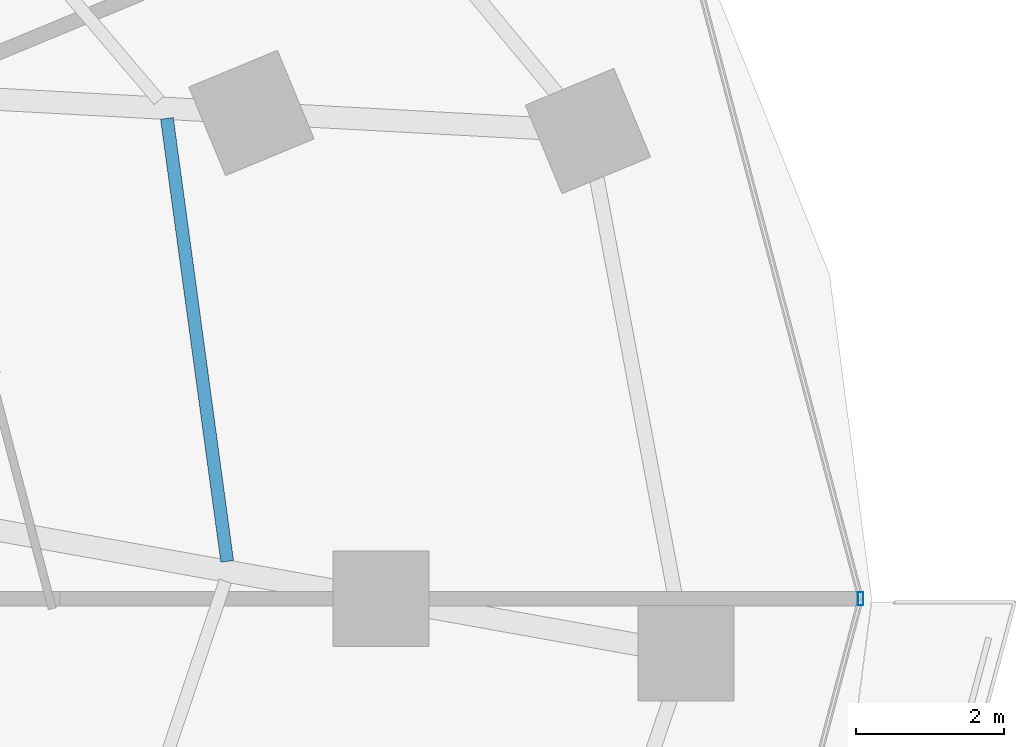
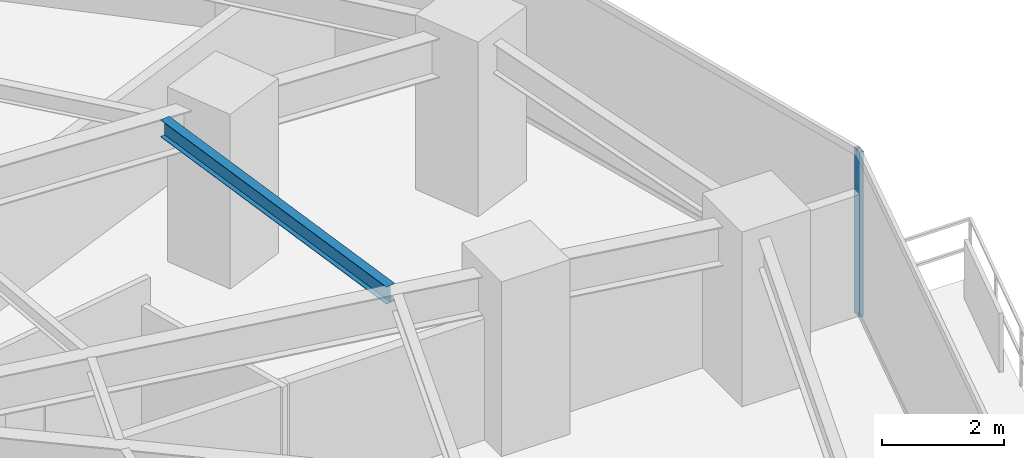
# One storey, part 16 of 34: 1 beam, 1 member, 1 element without a shape of its own.
"""IFC4 building model written with IfcOpenShell, lengths in metres."""

from ifc_helpers import new_model, si_unit, direction, frame, origin, origin_2d, place, context, subcontext, project, spatial, hollow_rectangle, i_section, extrude, material, material_profile, profile_set, type_object, element, aggregate, save


model = new_model("IFC4")

# Units and contexts
model_context = context("Model", 3, precision=1e-05, world=origin(), true_north=direction((0.0, 1.0)))
body_context = subcontext(model_context, "Body", "Model", "MODEL_VIEW")
ifc_project = project(units=[si_unit("LENGTHUNIT", "METRE"), si_unit("AREAUNIT", "SQUARE_METRE"), si_unit("VOLUMEUNIT", "CUBIC_METRE"), si_unit("PLANEANGLEUNIT", "RADIAN"), si_unit("MASSUNIT", "GRAM", prefix="KILO")], contexts=[model_context])

# Site, building, storey
site_placement = place(None, origin())
site = spatial("IfcSite", under=ifc_project, at=site_placement, CompositionType="ELEMENT")
building_placement = place(site_placement, origin())
building = spatial("IfcBuilding", under=site, at=building_placement, Name="Vorneva Point Tower", CompositionType="ELEMENT")
storey_placement = place(building_placement, frame((0.0, 0.0, 27.5)))
storey = spatial("IfcBuildingStorey", under=building, at=storey_placement, Name="L06", CompositionType="ELEMENT", Elevation=27.5)

# Beam
ifc_material_1 = material(Name="Steel S355", Category="steel")
ifc_material_profile_1 = material_profile(ifc_material_1, i_section(OverallWidth=0.174072265625, OverallDepth=0.345947265625, WebThickness=0.006103515625, FlangeThickness=0.009033203125, at=origin_2d()), Name="35B1")
ifc_profile_set_1 = profile_set([ifc_material_profile_1], Name="Steel S355")
beam_type = type_object("IfcBeamType", Name="BM-SEC-35B1", PredefinedType="BEAM", material=ifc_profile_set_1)
beam_placement = place(storey_placement, frame((58.966552734375, 26.506103515625, 3.06689453125), z_axis=(-0.134821822174, 0.99086985839, 0.0), x_axis=(-0.99086985839, -0.134821822174, 0.0)))
element("IfcBeam", 1, at=beam_placement, inside=storey, type_object=beam_type, Name="L06 Secondary Floor Beam 1.01", PredefinedType="BEAM", context=body_context, shape_type="SweptSolid", body=[
    extrude(i_section(OverallWidth=0.174072265625, OverallDepth=0.345947265625, WebThickness=0.006103515625, FlangeThickness=0.009033203125, at=origin_2d()), origin(), (0.0, 0.0, 1.0), 6.057373046875),
])

# Curtain wall, member
ifc_material_2 = material(Name="Pale anodised aluminium", Category="aluminium")
curtain_wall_type = type_object("IfcCurtainWallType", Name="CW-HTL-SYS", PredefinedType="NOTDEFINED", material=ifc_material_2)
curtain_wall_placement = place(storey_placement, origin())
curtain_wall = element("IfcCurtainWall", 2, at=curtain_wall_placement, inside=storey, type_object=curtain_wall_type, Name="L06 Unitised Curtain Wall CW-L06-R01", PredefinedType="NOTDEFINED")
ifc_material_profile_2 = material_profile(ifc_material_2, hollow_rectangle(XDim=0.074951171875, YDim=0.179931640625, WallThickness=0.00390625, at=origin_2d()), Name="AL-MUL 180x75x4")
ifc_profile_set_2 = profile_set([ifc_material_profile_2], Name="Pale anodised aluminium")
member_type = type_object("IfcMemberType", Name="CW-MUL-180", PredefinedType="MULLION", material=ifc_profile_set_2)
member_placement = place(storey_placement, frame((67.550048828125, 26.0, -0.0400390625), z_axis=(0.0, 0.0, 1.0), x_axis=(1.0, 0.0, 0.0)))
member = element("IfcMember", 3, at=member_placement, type_object=member_type, Name="CW-L06-R01 Mullion 03", PredefinedType="MULLION", context=body_context, shape_type="SweptSolid", body=[
    extrude(hollow_rectangle(XDim=0.074951171875, YDim=0.179931640625, WallThickness=0.00390625, at=origin_2d()), origin(), (0.0, 0.0, 1.0), 3.31005859375),
])
aggregate(curtain_wall, [member])

save(model, "model.ifc")
